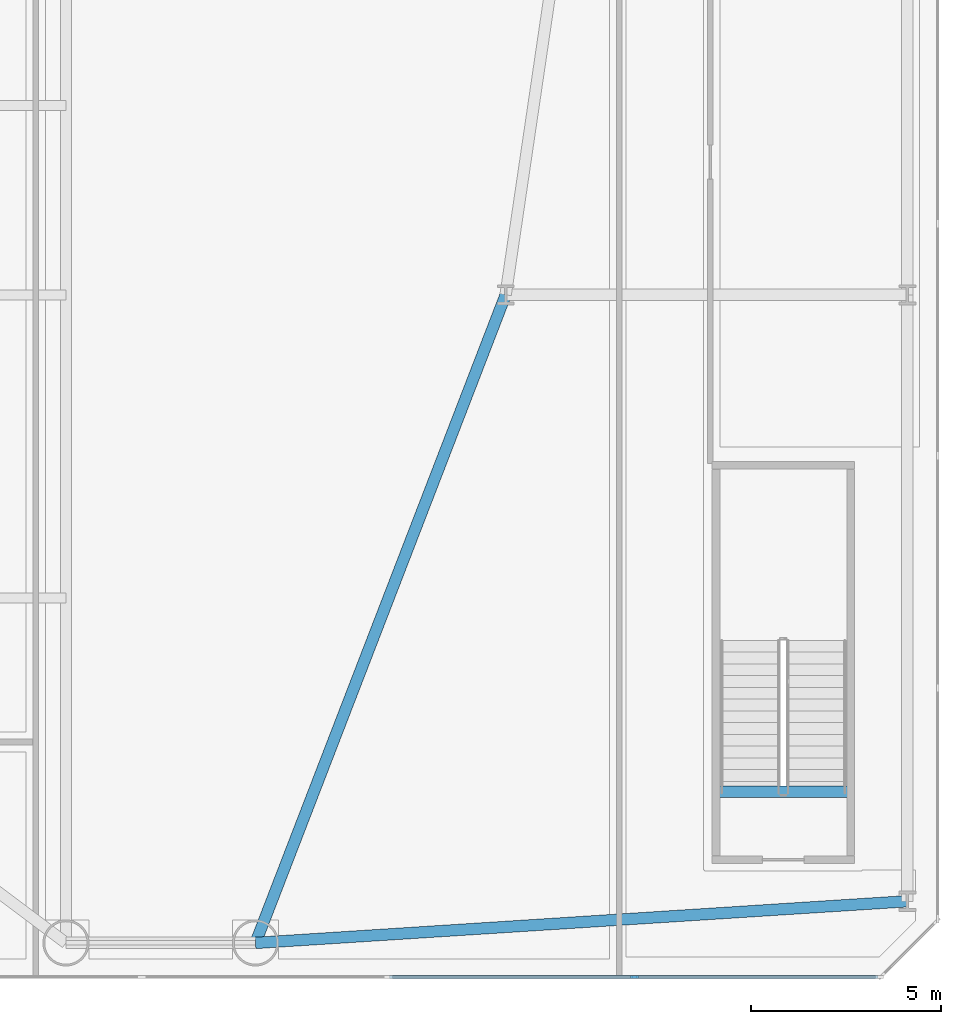
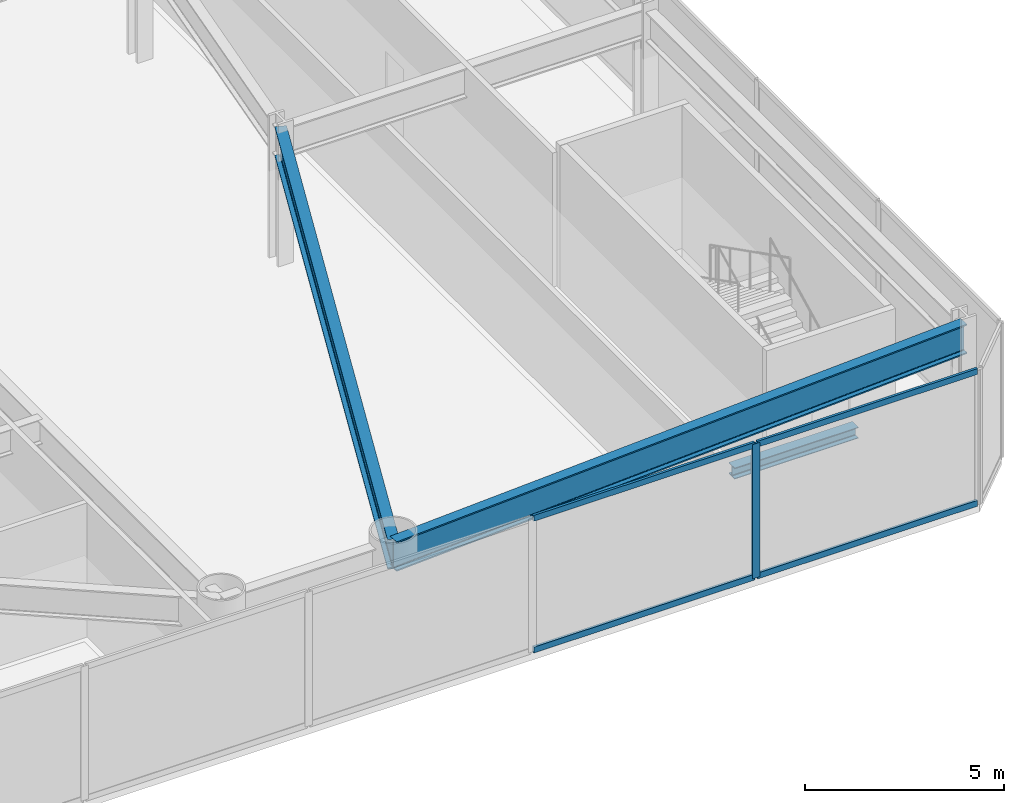
# One storey, part 5 of 24: 5 members, 3 beams, 1 element without a shape of its own.
"""IFC4 building model written with IfcOpenShell, lengths in metres."""

from ifc_helpers import new_model, si_unit, direction, frame, origin, origin_2d, place, context, subcontext, project, spatial, rectangle, i_section, extrude, source, transform, mapped, material, layer, layer_set, material_profile, profile_set, type_object, element, aggregate, save


model = new_model("IFC4")

# Units and contexts
model_context = context("Model", 3, precision=1e-05, world=origin(), true_north=direction((0.0, 1.0)))
body_context = subcontext(model_context, "Body", "Model", "MODEL_VIEW")
ifc_project = project(units=[si_unit("LENGTHUNIT", "METRE"), si_unit("AREAUNIT", "SQUARE_METRE"), si_unit("VOLUMEUNIT", "CUBIC_METRE"), si_unit("PLANEANGLEUNIT", "RADIAN"), si_unit("MASSUNIT", "GRAM", prefix="KILO")], contexts=[model_context])

# Site, building, storey
site_placement = place(None, origin())
site = spatial("IfcSite", under=ifc_project, at=site_placement, CompositionType="ELEMENT")
building_placement = place(site_placement, origin())
building = spatial("IfcBuilding", under=site, at=building_placement, Name="Vaeldorn Concourse Tower", CompositionType="ELEMENT")
storey_placement = place(building_placement, frame((0.0, 0.0, 10.0)))
storey = spatial("IfcBuildingStorey", under=building, at=storey_placement, Name="L02", CompositionType="ELEMENT", Elevation=10.0)

# Beams
ifc_material_1 = material(Name="Steel S355", Category="steel")
ifc_material_profile_1 = material_profile(ifc_material_1, i_section(OverallWidth=0.300048828125, OverallDepth=0.340087890625, WebThickness=0.011962890625, FlangeThickness=0.021484375, FilletRadius=0.027099609375, at=origin_2d()), Name="HEB 340")
ifc_profile_set_1 = profile_set([ifc_material_profile_1], Name="Steel S355")
beam_type_1 = type_object("IfcBeamType", Name="BM-ST-TRIM", PredefinedType="BEAM", material=ifc_profile_set_1)
shared_shape_1 = source(origin(), body_context, "Body", "SweptSolid", [
    extrude(i_section(OverallWidth=0.300048828125, OverallDepth=0.340087890625, WebThickness=0.011962890625, FlangeThickness=0.021484375, FilletRadius=0.027099609375, at=origin_2d()), origin(), (0.0, 0.0, 1.0), 3.590087890625),
])
beam_1_placement = place(storey_placement, frame((62.1298828125, 4.889892578125, -0.449951171875), z_axis=(1.0, 0.0, 0.0), x_axis=(0.0, 1.0, 0.0)))
element("IfcBeam", 1, at=beam_1_placement, inside=storey, type_object=beam_type_1, Name="Stair Landing Trimmer Beam ST-5 L02", PredefinedType="BEAM", context=body_context, shape_type="MappedRepresentation", body=[
    mapped(shared_shape_1, transform((0.0, 0.0, 0.0), scale=1.0)),
])
ifc_material_profile_2 = material_profile(ifc_material_1, i_section(OverallWidth=0.302001953125, OverallDepth=0.909912109375, WebThickness=0.02099609375, FlangeThickness=0.0400390625, FilletRadius=0.030029296875, at=origin_2d()), Name="HEM 900")
ifc_profile_set_2 = profile_set([ifc_material_profile_2], Name="Steel S355")
beam_type_2 = type_object("IfcBeamType", Name="BM-PG-HEM900", PredefinedType="BEAM", material=ifc_profile_set_2)
shared_shape_2 = source(origin(), body_context, "Body", "SweptSolid", [
    extrude(i_section(OverallWidth=0.302001953125, OverallDepth=0.909912109375, WebThickness=0.02099609375, FlangeThickness=0.0400390625, FilletRadius=0.030029296875, at=origin_2d()), origin(), (0.0, 0.0, 1.0), 17.235107421875),
])
beam_2_placement = place(storey_placement, frame((50.0, 0.89990234375, 3.6650390625), z_axis=(0.997960855094, 0.063828925254, 0.0), x_axis=(-0.063828925254, 0.997960855094, 0.0)))
element("IfcBeam", 2, at=beam_2_placement, inside=storey, type_object=beam_type_2, Name="Beam BM-L02-C-SM6-C-PE1", PredefinedType="BEAM", context=body_context, shape_type="MappedRepresentation", body=[
    mapped(shared_shape_2, transform((0.0, 0.0, 0.0), scale=1.0)),
])
shared_shape_3 = source(origin(), body_context, "Body", "SweptSolid", [
    extrude(i_section(OverallWidth=0.302001953125, OverallDepth=0.909912109375, WebThickness=0.02099609375, FlangeThickness=0.0400390625, FilletRadius=0.030029296875, at=origin_2d()), origin(), (0.0, 0.0, 1.0), 18.32958984375),
])
beam_3_placement = place(storey_placement, frame((56.60009765625, 18.0, 3.6650390625), z_axis=(-0.36007844134, -0.932922031084, 0.0), x_axis=(0.932922031084, -0.36007844134, 0.0)))
element("IfcBeam", 3, at=beam_3_placement, inside=storey, type_object=beam_type_2, Name="Beam BM-L02-C-FLE2-C-SM6", PredefinedType="BEAM", context=body_context, shape_type="MappedRepresentation", body=[
    mapped(shared_shape_3, transform((0.0, 0.0, 0.0), scale=1.0)),
])

# Curtain wall, members
ifc_material_2 = material(Name="Anodised Bronze Aluminium", Category="aluminium")
ifc_layer = layer(ifc_material_2, 0.239990234375)
ifc_layer_set = layer_set([ifc_layer], Name="Anodised Bronze Aluminium")
curtain_wall_type = type_object("IfcCurtainWallType", Name="CW-SYS-04", PredefinedType="NOTDEFINED", material=ifc_layer_set)
curtain_wall_placement = place(storey_placement, origin())
curtain_wall = element("IfcCurtainWall", 4, at=curtain_wall_placement, inside=storey, type_object=curtain_wall_type, Name="Unitised Curtain Wall CW-L02-E01-1", PredefinedType="NOTDEFINED")
ifc_material_profile_3 = material_profile(ifc_material_2, rectangle(XDim=0.074951171875, YDim=0.179931640625, at=origin_2d()), Name="CWT 75x180")
ifc_profile_set_3 = profile_set([ifc_material_profile_3], Name="Anodised Bronze Aluminium")
member_type_1 = type_object("IfcMemberType", Name="CWT-BRONZE-180", PredefinedType="USERDEFINED", material=ifc_profile_set_3)
shared_shape_4 = source(origin(), body_context, "Body", "SweptSolid", [
    extrude(rectangle(XDim=0.074951171875, YDim=0.179931640625, at=origin_2d()), origin(), (0.0, 0.0, 1.0), 6.387451171875),
])
member_1_placement = place(storey_placement, frame((60.03759765625, 0.0, 0.03759765625), z_axis=(1.0, 0.0, 0.0), x_axis=(0.0, 1.0, 0.0)))
member_1 = element("IfcMember", 5, at=member_1_placement, type_object=member_type_1, Name="CW-04 transom 10.1", ObjectType="TRANSOM", PredefinedType="USERDEFINED", context=body_context, shape_type="MappedRepresentation", body=[
    mapped(shared_shape_4, transform((0.0, 0.0, 0.0), scale=1.0)),
])
member_2_placement = place(storey_placement, frame((60.03759765625, 0.0, 4.08251953125), z_axis=(1.0, 0.0, 0.0), x_axis=(0.0, 1.0, 0.0)))
member_2 = element("IfcMember", 6, at=member_2_placement, type_object=member_type_1, Name="CW-04 transom 10.2", ObjectType="TRANSOM", PredefinedType="USERDEFINED", context=body_context, shape_type="MappedRepresentation", body=[
    mapped(shared_shape_4, transform((0.0, 0.0, 0.0), scale=1.0)),
])
shared_shape_5 = source(origin(), body_context, "Body", "SweptSolid", [
    extrude(rectangle(XDim=0.074951171875, YDim=0.179931640625, at=origin_2d()), origin(), (0.0, 0.0, 1.0), 6.4248046875),
])
member_3_placement = place(storey_placement, frame((53.53759765625, 0.0, 0.03759765625), z_axis=(1.0, 0.0, 0.0), x_axis=(0.0, 1.0, 0.0)))
member_3 = element("IfcMember", 7, at=member_3_placement, type_object=member_type_1, Name="CW-04 transom 9.1", ObjectType="TRANSOM", PredefinedType="USERDEFINED", context=body_context, shape_type="MappedRepresentation", body=[
    mapped(shared_shape_5, transform((0.0, 0.0, 0.0), scale=1.0)),
])
member_4_placement = place(storey_placement, frame((53.53759765625, 0.0, 4.08251953125), z_axis=(1.0, 0.0, 0.0), x_axis=(0.0, 1.0, 0.0)))
member_4 = element("IfcMember", 8, at=member_4_placement, type_object=member_type_1, Name="CW-04 transom 9.2", ObjectType="TRANSOM", PredefinedType="USERDEFINED", context=body_context, shape_type="MappedRepresentation", body=[
    mapped(shared_shape_5, transform((0.0, 0.0, 0.0), scale=1.0)),
])
ifc_material_profile_4 = material_profile(ifc_material_2, rectangle(XDim=0.074951171875, YDim=0.219970703125, at=origin_2d()), Name="CWM 75x220")
ifc_profile_set_4 = profile_set([ifc_material_profile_4], Name="Anodised Bronze Aluminium")
member_type_2 = type_object("IfcMemberType", Name="CWM-BRONZE-220", PredefinedType="MULLION", material=ifc_profile_set_4)
shared_shape_6 = source(origin(), body_context, "Body", "SweptSolid", [
    extrude(rectangle(XDim=0.074951171875, YDim=0.219970703125, at=origin_2d()), origin(), (0.0, 0.0, 1.0), 4.1201171875),
])
member_5_placement = place(storey_placement, frame((60.0, 0.0, 0.0), z_axis=(0.0, 0.0, 1.0), x_axis=(0.0, 1.0, 0.0)))
member_5 = element("IfcMember", 9, at=member_5_placement, type_object=member_type_2, Name="CW-04 mullion 10", PredefinedType="MULLION", context=body_context, shape_type="MappedRepresentation", body=[
    mapped(shared_shape_6, transform((0.0, 0.0, 0.0), scale=1.0)),
])
aggregate(curtain_wall, [member_5, member_3, member_4, member_1, member_2])

save(model, "model.ifc")
